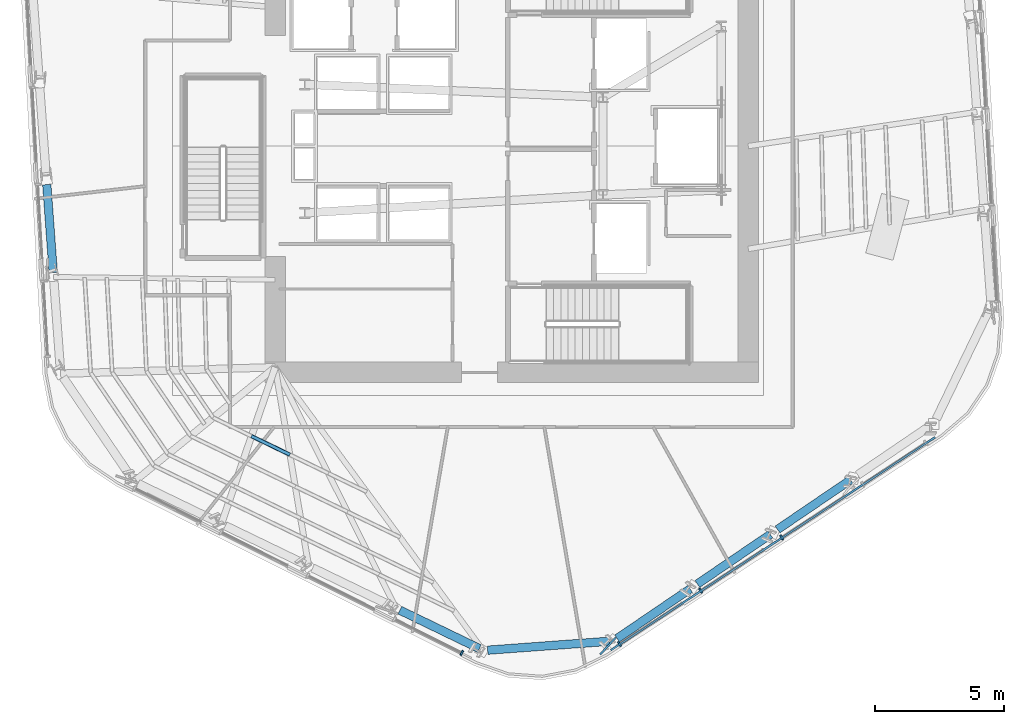
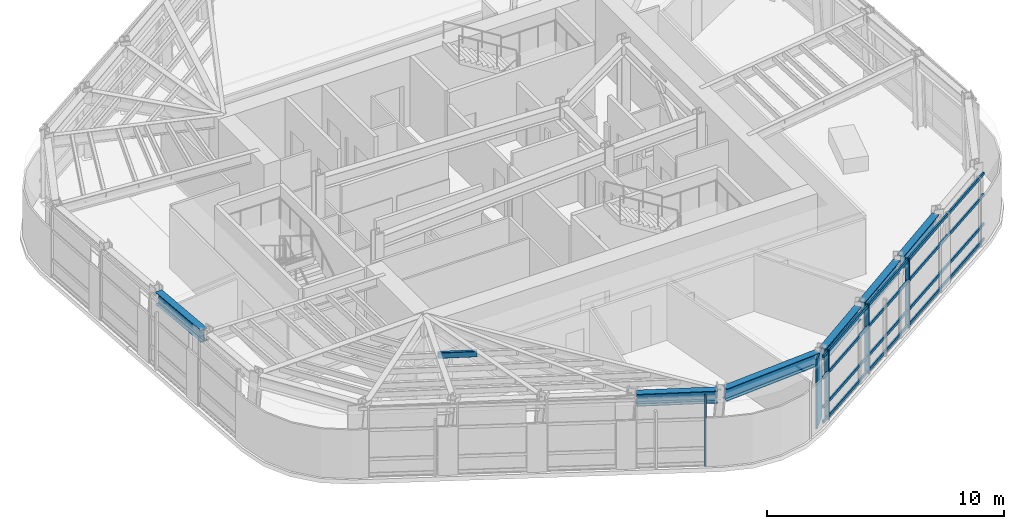
# One storey, part 3 of 15: 10 members, 6 beams, 2 elements without a shape of their own.
"""IFC4 building model written with IfcOpenShell, lengths in metres."""

import ifcopenshell
import ifcopenshell.guid

model = None  # the IFC model being written
_history = None  # IfcOwnerHistory: only IFC2X3 demands one
_inside = {}  # id of a spatial element -> (the spatial element, [elements in it])
_under = {}  # id of a project, library or spatial element -> (it, [spatial elements below it])
_declared = {}  # id of a project -> (the project, [libraries it declares])
_typed = {}  # id of a type object -> (the type object, [elements of that type])
_made_of = {}  # id of a material, layer set ... -> (it, [elements and type objects made of it])


def new_model(schema):
    """Start an empty IFC model of exactly this schema.

    Asked for "IFC4X3", IfcOpenShell would pick the latest addendum, in which some entities
    have other attributes; the version numbers below select the first issue.
    IFC2X3 requires an IfcOwnerHistory on every rooted entity: one is made here for all.
    """
    global model, _history
    if schema == "IFC4X3":
        model = ifcopenshell.file(schema_version=(4, 3, 0, 0))
    else:
        model = ifcopenshell.file(schema=schema)
    _inside.clear()
    _under.clear()
    _declared.clear()
    _typed.clear()
    _made_of.clear()
    _history = None
    if model.schema == "IFC2X3":
        org = make("IfcOrganization", Name="unknown")
        user = make(
            "IfcPersonAndOrganization",
            ThePerson=make("IfcPerson", FamilyName="unknown"),
            TheOrganization=org,
        )
        app = make(
            "IfcApplication",
            ApplicationDeveloper=org,
            Version="unknown",
            ApplicationFullName="unknown",
            ApplicationIdentifier="unknown",
        )
        _history = make(
            "IfcOwnerHistory",
            OwningUser=user,
            OwningApplication=app,
            ChangeAction="ADDED",
            CreationDate=0,
        )
    return model


def make(cls, **values):
    """One entity of the class cls with the attributes given. An attribute that is None is left unset."""
    return model.create_entity(
        cls, **{name: value for name, value in values.items() if value is not None}
    )


def rooted(cls, **values):
    """An entity with a GlobalId (a new one), such as an element, a storey or a relation."""
    return make(cls, GlobalId=ifcopenshell.guid.new(), OwnerHistory=_history, **values)


def si_unit(unit_type, name, prefix=None):
    """IfcSIUnit, for example si_unit("LENGTHUNIT", "METRE", prefix="MILLI")."""
    return make("IfcSIUnit", UnitType=unit_type, Prefix=prefix, Name=name)


def assignment(units):
    """IfcUnitAssignment: the units of a project."""
    return None if units is None else make("IfcUnitAssignment", Units=units)


def point(xyz):
    """IfcCartesianPoint."""
    return None if xyz is None else make("IfcCartesianPoint", Coordinates=xyz)


def direction(xyz):
    """IfcDirection."""
    return None if xyz is None else make("IfcDirection", DirectionRatios=xyz)


def frame(location, z_axis=None, x_axis=None):
    """IfcAxis2Placement3D, a coordinate frame: its origin and axes. An axis left out is left unset."""
    return make(
        "IfcAxis2Placement3D",
        Location=point(location),
        Axis=direction(z_axis),
        RefDirection=direction(x_axis),
    )


def frame_2d(location, x_axis=None):
    """IfcAxis2Placement2D, a coordinate frame in the plane: its origin and x axis."""
    return make(
        "IfcAxis2Placement2D", Location=point(location), RefDirection=direction(x_axis)
    )


def origin():
    """The frame at (0, 0, 0) with its axes left unset."""
    return frame((0.0, 0.0, 0.0))


def origin_2d():
    """The frame at (0, 0) in the plane with its x axis left unset."""
    return frame_2d((0.0, 0.0))


def place(relative_to, where):
    """IfcLocalPlacement: puts the frame where relative to a parent placement (None: the world)."""
    return make(
        "IfcLocalPlacement", PlacementRelTo=relative_to, RelativePlacement=where
    )


def context(
    kind, dimensions, precision=None, world=None, true_north=None, identifier=None
):
    """IfcGeometricRepresentationContext, for example the 3D "Model" context."""
    return make(
        "IfcGeometricRepresentationContext",
        ContextIdentifier=identifier,
        ContextType=kind,
        CoordinateSpaceDimension=dimensions,
        Precision=precision,
        WorldCoordinateSystem=world,
        TrueNorth=true_north,
    )


def subcontext(parent, identifier, kind, view, scale=None):
    """IfcGeometricRepresentationSubContext, for example "Body" below "Model"."""
    return make(
        "IfcGeometricRepresentationSubContext",
        ContextIdentifier=identifier,
        ContextType=kind,
        ParentContext=parent,
        TargetScale=scale,
        TargetView=view,
    )


def project(units=None, contexts=None):
    """IfcProject with its units and contexts."""
    return rooted(
        "IfcProject",
        Name="project",
        RepresentationContexts=contexts,
        UnitsInContext=assignment(units),
    )


def spatial(cls, under=None, at=None, **own):
    """A site, building, storey or space (cls), placed at a placement, below another one or the project."""
    s = rooted(cls, ObjectPlacement=at, **own)
    if under is not None:
        _under.setdefault(under.id(), (under, []))[1].append(s)
    return s


def profile(cls, at=None, kind="AREA", **sizes):
    """A parametric profile (cls). Its sizes go by their IFC names, for example OverallWidth=200.0."""
    return make(cls, ProfileType=kind, Position=at, **sizes)


def rectangle(**sizes):
    """IfcRectangleProfileDef."""
    return profile("IfcRectangleProfileDef", **sizes)


def hollow_rectangle(**sizes):
    """IfcRectangleHollowProfileDef."""
    return profile("IfcRectangleHollowProfileDef", **sizes)


def i_section(**sizes):
    """IfcIShapeProfileDef."""
    return profile("IfcIShapeProfileDef", **sizes)


def extrude(swept, where, along, depth):
    """IfcExtrudedAreaSolid: the profile swept, set in the frame where, extruded along a direction by depth."""
    return make(
        "IfcExtrudedAreaSolid",
        SweptArea=swept,
        Position=where,
        ExtrudedDirection=direction(along),
        Depth=depth,
    )


def shape(context_of_items, identifier, shape_type, items):
    """IfcShapeRepresentation: the items that make up one representation, for example the "Body"."""
    return make(
        "IfcShapeRepresentation",
        ContextOfItems=context_of_items,
        RepresentationIdentifier=identifier,
        RepresentationType=shape_type,
        Items=items,
    )


def material(Name=None, Category=None):
    """IfcMaterial."""
    return make("IfcMaterial", Name=Name, Category=Category)


def layer(
    of_material, thickness, ventilated=None, Name=None, Category=None, Priority=None
):
    """IfcMaterialLayer: one layer of a wall or slab, of a material (None: an air gap)."""
    return make(
        "IfcMaterialLayer",
        Material=of_material,
        LayerThickness=thickness,
        IsVentilated=ventilated,
        Name=Name,
        Category=Category,
        Priority=Priority,
    )


def layer_set(layers, Name=None):
    """IfcMaterialLayerSet."""
    return make("IfcMaterialLayerSet", MaterialLayers=layers, LayerSetName=Name)


def material_profile(
    of_material, cross_section, Name=None, Category=None, Priority=None
):
    """IfcMaterialProfile: a cross section and its material."""
    return make(
        "IfcMaterialProfile",
        Name=Name,
        Material=of_material,
        Profile=cross_section,
        Priority=Priority,
        Category=Category,
    )


def profile_set(profiles, Name=None, composite=None):
    """IfcMaterialProfileSet."""
    return make(
        "IfcMaterialProfileSet",
        Name=Name,
        MaterialProfiles=profiles,
        CompositeProfile=composite,
    )


def made_of(thing, what):
    """Note that an element or type object is made of a material, layer set ...; save() writes the relation."""
    if what is not None:
        _made_of.setdefault(what.id(), (what, []))[1].append(thing)
    return thing


def type_object(cls, material=None, **own):
    """A type object (cls), such as IfcWallType, which elements share."""
    return made_of(rooted(cls, **own), material)


def element(
    cls,
    number,
    at=None,
    inside=None,
    cuts=None,
    type_object=None,
    material=None,
    context=None,
    identifier="Body",
    shape_type=None,
    held_by="IfcProductDefinitionShape",
    body=None,
    shapes=None,
    **own,
):
    """One element of the class cls, such as IfcWall. Its Tag is "e" and its number.

    at: its placement. inside: the storey or other place that contains it. cuts: it is an
    opening in that element (IfcRelVoidsElement). A single representation is given by context,
    identifier, shape_type and body (its items); several are given by shapes. held_by: the class
    of the entity that holds the representations. save() writes the other relations.
    """
    e = rooted(cls, Tag="e%d" % number, ObjectPlacement=at, **own)
    if body is not None:
        shapes = [shape(context, identifier, shape_type, body)]
    if shapes is not None:
        e.Representation = make(held_by, Representations=shapes)
    if inside is not None:
        _inside.setdefault(inside.id(), (inside, []))[1].append(e)
    if cuts is not None:
        rooted(
            "IfcRelVoidsElement", RelatingBuildingElement=cuts, RelatedOpeningElement=e
        )
    if type_object is not None:
        _typed.setdefault(type_object.id(), (type_object, []))[1].append(e)
    return made_of(e, material)


def aggregate(whole, parts):
    """IfcRelAggregates: a whole, such as a stair, and the parts it consists of."""
    return rooted("IfcRelAggregates", RelatingObject=whole, RelatedObjects=parts)


def save(model, path):
    """Write the relations noted so far, then the file.

    IfcRelAggregates (storeys below a building ...), IfcRelContainedInSpatialStructure (elements
    in a storey), IfcRelDefinesByType, IfcRelAssociatesMaterial and IfcRelDeclares: one each for
    every whole, place, type object, material and project.
    """
    for whole, parts in _under.values():
        aggregate(whole, parts)
    for where, things in _inside.values():
        rooted(
            "IfcRelContainedInSpatialStructure",
            RelatedElements=things,
            RelatingStructure=where,
        )
    for kind, things in _typed.values():
        rooted("IfcRelDefinesByType", RelatedObjects=things, RelatingType=kind)
    for what, things in _made_of.values():
        rooted("IfcRelAssociatesMaterial", RelatedObjects=things, RelatingMaterial=what)
    for by, libraries in _declared.values():
        rooted("IfcRelDeclares", RelatingContext=by, RelatedDefinitions=libraries)
    model.write(path)


model = new_model("IFC4")

# Units and contexts
model_context = context("Model", 3, precision=1e-05, world=origin(), true_north=direction((0.0, 1.0)))
body_context = subcontext(model_context, "Body", "Model", "MODEL_VIEW")
ifc_project = project(units=[si_unit("LENGTHUNIT", "METRE"), si_unit("AREAUNIT", "SQUARE_METRE"), si_unit("VOLUMEUNIT", "CUBIC_METRE"), si_unit("PLANEANGLEUNIT", "RADIAN"), si_unit("MASSUNIT", "GRAM", prefix="KILO")], contexts=[model_context])

# Site, building, storey
site_placement = place(None, origin())
site = spatial("IfcSite", under=ifc_project, at=site_placement, CompositionType="ELEMENT")
building_placement = place(site_placement, origin())
building = spatial("IfcBuilding", under=site, at=building_placement, Name="Valkerne Bourse Tower", CompositionType="ELEMENT")
storey_placement = place(building_placement, frame((0.0, 0.0, 166.60009765625)))
storey = spatial("IfcBuildingStorey", under=building, at=storey_placement, Name="L42", CompositionType="ELEMENT", Elevation=166.60009765625)

# Beams
ifc_material_1 = material(Name="Steel ASTM A992", Category="steel")
ifc_material_profile_1 = material_profile(ifc_material_1, i_section(OverallWidth=0.32763671875, OverallDepth=0.62744140625, WebThickness=0.0166015625, FlangeThickness=0.027587890625, FilletRadius=0.020263671875, at=origin_2d()), Name="W24X146")
ifc_profile_set_1 = profile_set([ifc_material_profile_1], Name="Steel ASTM A992")
beam_type = type_object("IfcBeamType", Name="BM-W24X146", PredefinedType="SPANDREL", material=ifc_profile_set_1)
beam_1_placement = place(storey_placement, frame((28.718017578125, 25.501708984375, 3.26611328125), z_axis=(0.07321903857, -0.997315883956, 0.0), x_axis=(0.997315883956, 0.07321903857, 0.0)))
element("IfcBeam", 1, at=beam_1_placement, inside=storey, type_object=beam_type, Name="L42 Hexagonal Spandrel Ring Beam 12", PredefinedType="SPANDREL", context=body_context, shape_type="SweptSolid", body=[
    extrude(i_section(OverallWidth=0.32763671875, OverallDepth=0.62744140625, WebThickness=0.0166015625, FlangeThickness=0.027587890625, FilletRadius=0.020263671875, at=origin_2d()), origin(), (0.0, 0.0, 1.0), 3.43115234375),
])
beam_2_placement = place(storey_placement, frame((42.45166015625, 8.9501953125, 3.26611328125), z_axis=(0.900296903464, -0.435276332476, 0.0), x_axis=(0.435276332476, 0.900296903464, 0.0)))
element("IfcBeam", 2, at=beam_2_placement, inside=storey, type_object=beam_type, Name="L42 Hexagonal Spandrel Ring Beam 18", PredefinedType="SPANDREL", context=body_context, shape_type="SweptSolid", body=[
    extrude(i_section(OverallWidth=0.32763671875, OverallDepth=0.62744140625, WebThickness=0.0166015625, FlangeThickness=0.027587890625, FilletRadius=0.020263671875, at=origin_2d()), origin(), (0.0, 0.0, 1.0), 3.430908203125),
])
beam_3_placement = place(storey_placement, frame((45.86328125, 7.395263671875, 3.26611328125), z_axis=(0.997314489531, 0.073238029545, 0.0), x_axis=(-0.073238029545, 0.997314489531, 0.0)))
element("IfcBeam", 3, at=beam_3_placement, inside=storey, type_object=beam_type, Name="L42 Hexagonal Spandrel Ring Beam 19", PredefinedType="SPANDREL", context=body_context, shape_type="SweptSolid", body=[
    extrude(i_section(OverallWidth=0.32763671875, OverallDepth=0.62744140625, WebThickness=0.0166015625, FlangeThickness=0.027587890625, FilletRadius=0.020263671875, at=origin_2d()), origin(), (0.0, 0.0, 1.0), 4.740234375),
])
for number, where, z_axis, x_axis, name in (
    (4, (50.90087890625, 7.8505859375, 3.26611328125), (0.827113080955, 0.56203554275, 0.0), (-0.56203554275, 0.827113080955, 0.0), "L42 Hexagonal Spandrel Ring Beam 20"),
    (5, (54.019775390625, 9.97021484375, 3.26611328125), (0.827113080955, 0.56203554275, 0.0), (-0.56203554275, 0.827113080955, 0.0), "L42 Hexagonal Spandrel Ring Beam 21"),
):
    element("IfcBeam", number, at=place(storey_placement, frame(where, z_axis=z_axis, x_axis=x_axis)), inside=storey, type_object=beam_type, Name=name, PredefinedType="SPANDREL", context=body_context, shape_type="SweptSolid", body=[
        extrude(i_section(OverallWidth=0.32763671875, OverallDepth=0.62744140625, WebThickness=0.0166015625, FlangeThickness=0.027587890625, FilletRadius=0.020263671875, at=origin_2d()), origin(), (0.0, 0.0, 1.0), 3.4306640625),
    ])
beam_4_placement = place(storey_placement, frame((57.138671875, 12.089599609375, 3.26611328125), z_axis=(0.827080000097, 0.562084222728, 0.0), x_axis=(-0.562084222728, 0.827080000097, 0.0)))
element("IfcBeam", 6, at=beam_4_placement, inside=storey, type_object=beam_type, Name="L42 Hexagonal Spandrel Ring Beam 22", PredefinedType="SPANDREL", context=body_context, shape_type="SweptSolid", body=[
    extrude(i_section(OverallWidth=0.32763671875, OverallDepth=0.62744140625, WebThickness=0.0166015625, FlangeThickness=0.027587890625, FilletRadius=0.020263671875, at=origin_2d()), origin(), (0.0, 0.0, 1.0), 3.430908203125),
])

# Curtain wall, member
ifc_material_2 = material(Name="Aluminium AA 6063-T6", Category="aluminium")
ifc_layer = layer(ifc_material_2, 0.235107421875)
ifc_layer_set = layer_set([ifc_layer], Name="Aluminium AA 6063-T6")
curtain_wall_type = type_object("IfcCurtainWallType", Name="CW-03", PredefinedType="NOTDEFINED", material=ifc_layer_set)
curtain_wall_1_placement = place(storey_placement, origin())
curtain_wall_1 = element("IfcCurtainWall", 7, at=curtain_wall_1_placement, inside=storey, type_object=curtain_wall_type, Name="L42 Hexagonal Stick Curtain Wall Face 4", PredefinedType="NOTDEFINED")
ifc_material_profile_2 = material_profile(ifc_material_2, rectangle(XDim=0.074951171875, YDim=0.199951171875, at=origin_2d()), Name="CWM-75X200")
ifc_profile_set_2 = profile_set([ifc_material_profile_2], Name="Aluminium AA 6063-T6")
member_type_1 = type_object("IfcMemberType", Name="CW-MUL-220X75", PredefinedType="MULLION", material=ifc_profile_set_2)
member_1_placement = place(storey_placement, frame((44.857666015625, 7.28759765625, 0.0), z_axis=(0.0, 0.0, 1.0), x_axis=(0.893369278637, -0.449323193244, 0.0)))
member_1 = element("IfcMember", 8, at=member_1_placement, type_object=member_type_1, Name="CW-L42-F4 Jamb Mullion 03B", PredefinedType="MULLION", context=body_context, shape_type="SweptSolid", body=[
    extrude(rectangle(XDim=0.074951171875, YDim=0.199951171875, at=origin_2d()), origin(), (0.0, 0.0, 1.0), 3.579833984375),
])
aggregate(curtain_wall_1, [member_1])

# Curtain wall, members
curtain_wall_2_placement = place(storey_placement, origin())
curtain_wall_2 = element("IfcCurtainWall", 9, at=curtain_wall_2_placement, inside=storey, type_object=curtain_wall_type, Name="L42 Hexagonal Stick Curtain Wall Face 5", PredefinedType="NOTDEFINED")
member_2_placement = place(storey_placement, frame((50.9951171875, 7.641357421875, 0.0), z_axis=(0.0, 0.0, 1.0), x_axis=(0.835800745182, 0.549032890048, 0.0)))
member_2 = element("IfcMember", 10, at=member_2_placement, type_object=member_type_1, Name="CW-L42-F5 Jamb Mullion 00A", PredefinedType="MULLION", context=body_context, shape_type="SweptSolid", body=[
    extrude(rectangle(XDim=0.074951171875, YDim=0.199951171875, at=origin_2d()), origin(), (0.0, 0.0, 1.0), 3.579833984375),
])
member_3_placement = place(storey_placement, frame((54.14697265625, 9.7119140625, 0.0), z_axis=(0.0, 0.0, 1.0), x_axis=(0.835800745182, 0.549032890048, 0.0)))
member_3 = element("IfcMember", 11, at=member_3_placement, type_object=member_type_1, Name="CW-L42-F5 Jamb Mullion 01A", PredefinedType="MULLION", context=body_context, shape_type="SweptSolid", body=[
    extrude(rectangle(XDim=0.074951171875, YDim=0.199951171875, at=origin_2d()), origin(), (0.0, 0.0, 1.0), 3.579833984375),
])
member_4_placement = place(storey_placement, frame((57.298583984375, 11.7822265625, 0.0), z_axis=(0.0, 0.0, 1.0), x_axis=(0.835820906773, 0.549002196536, 0.0)))
member_4 = element("IfcMember", 12, at=member_4_placement, type_object=member_type_1, Name="CW-L42-F5 Jamb Mullion 02A", PredefinedType="MULLION", context=body_context, shape_type="SweptSolid", body=[
    extrude(rectangle(XDim=0.074951171875, YDim=0.199951171875, at=origin_2d()), origin(), (0.0, 0.0, 1.0), 3.579833984375),
])
ifc_material_profile_3 = material_profile(ifc_material_2, rectangle(XDim=0.074951171875, YDim=0.14990234375, at=origin_2d()), Name="CWT-75X150")
ifc_profile_set_3 = profile_set([ifc_material_profile_3], Name="Aluminium AA 6063-T6")
member_type_2 = type_object("IfcMemberType", Name="CW-TRN-180X65", PredefinedType="USERDEFINED", material=ifc_profile_set_3)
member_5_placement = place(storey_placement, frame((50.655029296875, 7.39404296875, 0.119873046875), z_axis=(0.83580352067, 0.549028664859, 0.0), x_axis=(-0.549028664859, 0.83580352067, 0.0)))
member_5 = element("IfcMember", 13, at=member_5_placement, type_object=member_type_2, Name="CW-L42-F5 Continuous Face Transom 1", ObjectType="TRANSOM", PredefinedType="USERDEFINED", context=body_context, shape_type="SweptSolid", body=[
    extrude(rectangle(XDim=0.074951171875, YDim=0.14990234375, at=origin_2d()), origin(), (0.0, 0.0, 1.0), 15.083984375),
])
member_6_placement = place(storey_placement, frame((50.655029296875, 7.39404296875, 0.89990234375), z_axis=(0.83580352067, 0.549028664859, 0.0), x_axis=(-0.549028664859, 0.83580352067, 0.0)))
member_6 = element("IfcMember", 14, at=member_6_placement, type_object=member_type_2, Name="CW-L42-F5 Continuous Face Transom 2", ObjectType="TRANSOM", PredefinedType="USERDEFINED", context=body_context, shape_type="SweptSolid", body=[
    extrude(rectangle(XDim=0.074951171875, YDim=0.14990234375, at=origin_2d()), origin(), (0.0, 0.0, 1.0), 15.083984375),
])
member_7_placement = place(storey_placement, frame((50.655029296875, 7.39404296875, 2.39990234375), z_axis=(0.83580352067, 0.549028664859, 0.0), x_axis=(-0.549028664859, 0.83580352067, 0.0)))
member_7 = element("IfcMember", 15, at=member_7_placement, type_object=member_type_2, Name="CW-L42-F5 Continuous Face Transom 3", ObjectType="TRANSOM", PredefinedType="USERDEFINED", context=body_context, shape_type="SweptSolid", body=[
    extrude(rectangle(XDim=0.074951171875, YDim=0.14990234375, at=origin_2d()), origin(), (0.0, 0.0, 1.0), 15.083984375),
])
member_8_placement = place(storey_placement, frame((50.655029296875, 7.39404296875, 3.5), z_axis=(0.83580352067, 0.549028664859, 0.0), x_axis=(-0.549028664859, 0.83580352067, 0.0)))
member_8 = element("IfcMember", 16, at=member_8_placement, type_object=member_type_2, Name="CW-L42-F5 Continuous Face Transom 4", ObjectType="TRANSOM", PredefinedType="USERDEFINED", context=body_context, shape_type="SweptSolid", body=[
    extrude(rectangle(XDim=0.074951171875, YDim=0.14990234375, at=origin_2d()), origin(), (0.0, 0.0, 1.0), 15.083984375),
])
aggregate(curtain_wall_2, [member_5, member_6, member_7, member_8, member_2, member_3, member_4])

# Members
ifc_material_3 = material(Name="Bronze Anodised Aluminium AA 6063-T6", Category="aluminium")
ifc_material_profile_4 = material_profile(ifc_material_3, rectangle(XDim=0.070068359375, YDim=0.89990234375, at=origin_2d()), Name="FIN-70X900")
ifc_profile_set_4 = profile_set([ifc_material_profile_4], Name="Bronze Anodised Aluminium AA 6063-T6")
member_type_3 = type_object("IfcMemberType", Name="FIN-SOLAR-900", PredefinedType="USERDEFINED", material=ifc_profile_set_4)
member_9_placement = place(storey_placement, frame((50.545166015625, 7.561279296875, 0.00390625), z_axis=(0.0, 0.0, 1.0), x_axis=(0.733921057329, -0.679234776502, 0.0)))
element("IfcMember", 17, at=member_9_placement, inside=storey, type_object=member_type_3, Name="L42 Bronze Anodised Solar Fin F5-00", ObjectType="SOLAR_FIN", PredefinedType="USERDEFINED", context=body_context, shape_type="SweptSolid", body=[
    extrude(rectangle(XDim=0.070068359375, YDim=0.89990234375, at=origin_2d()), origin(), (0.0, 0.0, 1.0), 3.572021484375),
])
ifc_material_4 = material(Name="Steel ASTM A500 Grade C", Category="steel")
ifc_material_profile_5 = material_profile(ifc_material_4, hollow_rectangle(XDim=0.14990234375, YDim=0.300048828125, WallThickness=0.012451171875, OuterFilletRadius=0.02490234375, at=origin_2d()), Name="HSS300X150X12.5")
ifc_profile_set_5 = profile_set([ifc_material_profile_5], Name="Steel ASTM A500 Grade C")
member_type_4 = type_object("IfcMemberType", Name="MBR-HSS300X150X12.5", PredefinedType="PURLIN", material=ifc_profile_set_5)
member_10_placement = place(storey_placement, frame((36.6796875, 15.718994140625, 3.419921875), z_axis=(0.900263429502, -0.435345561022, 0.0), x_axis=(0.435345561022, 0.900263429502, 0.0)))
element("IfcMember", 18, at=member_10_placement, inside=storey, type_object=member_type_4, Name="L42 Secondary Composite Floor Purlin K-16", PredefinedType="PURLIN", context=body_context, shape_type="SweptSolid", body=[
    extrude(hollow_rectangle(XDim=0.14990234375, YDim=0.300048828125, WallThickness=0.012451171875, OuterFilletRadius=0.02490234375, at=origin_2d()), origin(), (0.0, 0.0, 1.0), 1.659423828125),
])

save(model, "model.ifc")
